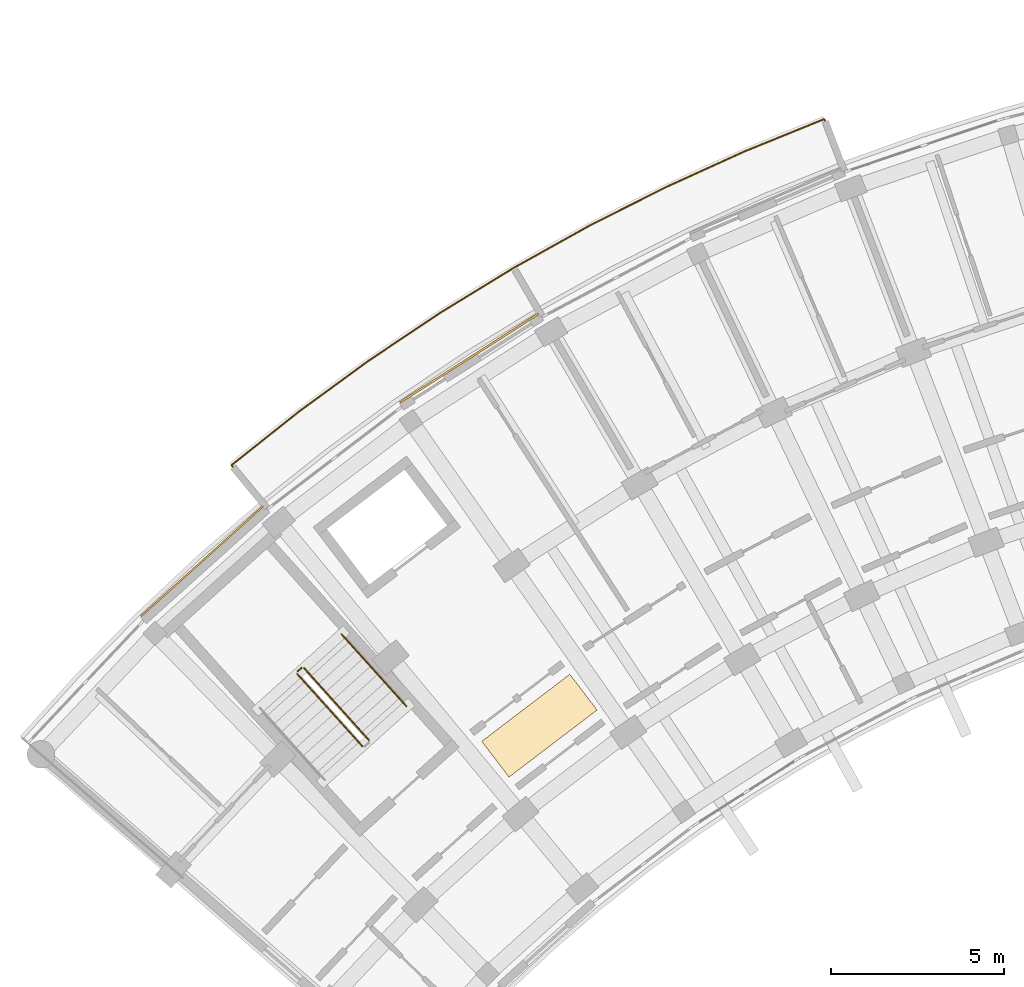
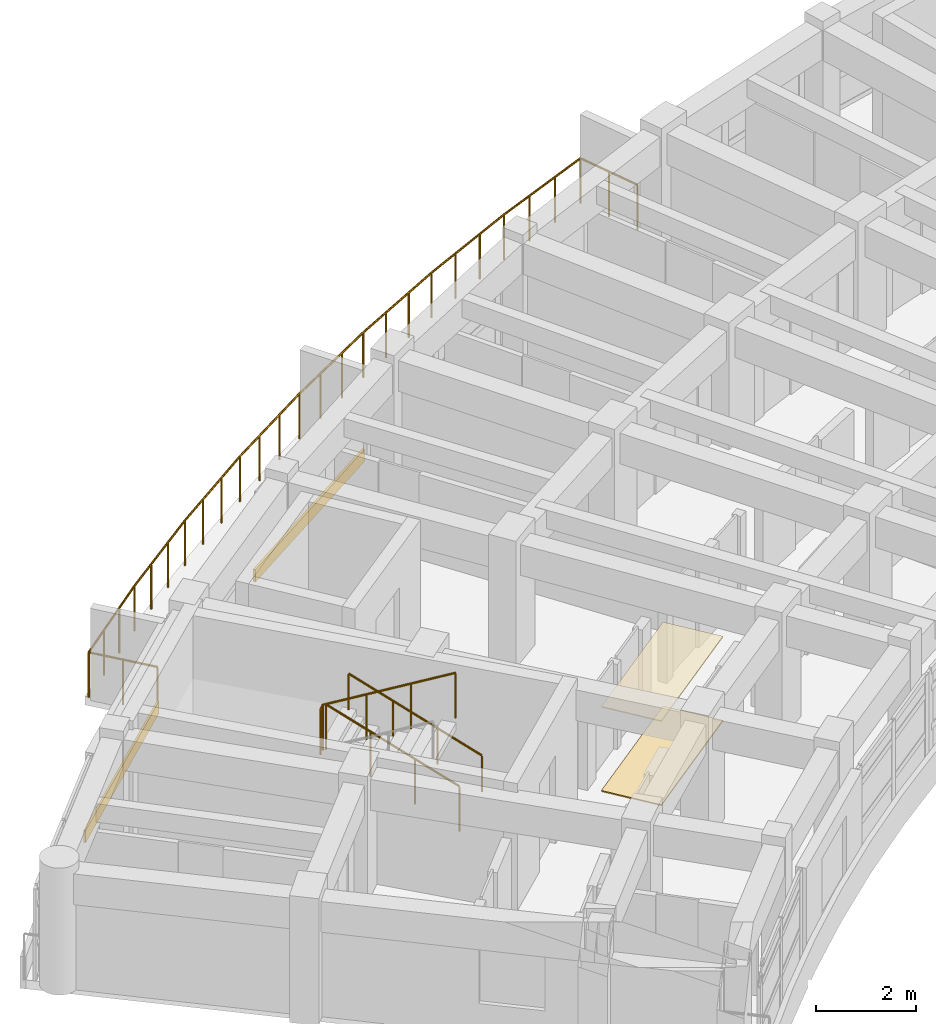
# One storey, part 61 of 70: 5 railings, 4 coverings.
"""IFC4 building model written with IfcOpenShell, lengths in metres."""

from ifc_helpers import new_model, si_unit, direction, frame, origin, origin_2d, place, context, subcontext, project, spatial, rectangle, circle, extrude, material, layer, layer_set, type_object, element, save


model = new_model("IFC4")

# Units and contexts
model_context = context("Model", 3, precision=1e-05, world=origin(), true_north=direction((0.0, 1.0)))
body_context = subcontext(model_context, "Body", "Model", "MODEL_VIEW")
ifc_project = project(units=[si_unit("LENGTHUNIT", "METRE"), si_unit("AREAUNIT", "SQUARE_METRE"), si_unit("VOLUMEUNIT", "CUBIC_METRE"), si_unit("PLANEANGLEUNIT", "RADIAN"), si_unit("MASSUNIT", "GRAM", prefix="KILO")], contexts=[model_context])

# Site, building, storey
site_placement = place(None, origin())
site = spatial("IfcSite", under=ifc_project, at=site_placement, CompositionType="ELEMENT")
building_placement = place(site_placement, origin())
building = spatial("IfcBuilding", under=site, at=building_placement, Name="Zimvara Arc Housing Community", CompositionType="ELEMENT")
storey_placement = place(building_placement, frame((0.0, 0.0, 8.10009765625)))
storey = spatial("IfcBuildingStorey", under=building, at=storey_placement, Name="L02", CompositionType="ELEMENT", Elevation=8.10009765625)

# Coverings
ifc_material_1 = material(Name="Pale-Gold Anodised Aluminium Cladding", Category="aluminium")
ifc_layer_1 = layer(ifc_material_1, 0.044921875)
ifc_layer_set_1 = layer_set([ifc_layer_1], Name="Pale-Gold Anodised Aluminium Cladding")
covering_type_1 = type_object("IfcCoveringType", Name="CLD-GOLD-02", PredefinedType="CLADDING", material=ifc_layer_set_1)
covering_1_placement = place(storey_placement, frame((5.219970703125, 88.711181640625, 0.009765625), z_axis=(0.0, 0.0, 1.0), x_axis=(0.74337718344, 0.668872456557, 0.0)))
element("IfcCovering", 1, at=covering_1_placement, inside=storey, type_object=covering_type_1, Name="cld:blkA:L02:out:b1", PredefinedType="CLADDING", context=body_context, shape_type="SweptSolid", body=[
    extrude(rectangle(XDim=4.748779296875, YDim=0.044921875, at=origin_2d()), origin(), (0.0, 0.0, 1.0), 0.300048828125),
])
ifc_material_2 = material(Name="Pale-Gold Anodised Aluminium Cladding", Category="aluminium")
ifc_layer_2 = layer(ifc_material_2, 0.054931640625)
ifc_layer_set_2 = layer_set([ifc_layer_2], Name="Pale-Gold Anodised Aluminium Cladding")
covering_type_2 = type_object("IfcCoveringType", Name="CLD-GOLD-04", PredefinedType="CLADDING", material=ifc_layer_set_2)
covering_2_placement = place(storey_placement, frame((12.944580078125, 94.585205078125, 0.009765625), z_axis=(0.0, 0.0, 1.0), x_axis=(0.842265220048, 0.53906335351, 0.0)))
element("IfcCovering", 2, at=covering_2_placement, inside=storey, type_object=covering_type_2, Name="cld:blkA:L02:out:b3", PredefinedType="CLADDING", context=body_context, shape_type="SweptSolid", body=[
    extrude(rectangle(XDim=4.748779296875, YDim=0.054931640625, at=origin_2d()), origin(), (0.0, 0.0, 1.0), 0.300048828125),
])
ifc_material_3 = material(Name="Perforated Acoustic Ceiling Board")
ifc_layer_3 = layer(ifc_material_3, 0.02490234375)
ifc_layer_set_3 = layer_set([ifc_layer_3], Name="Perforated Acoustic Ceiling Board")
covering_type_3 = type_object("IfcCoveringType", Name="COV-CEIL-03", PredefinedType="CEILING", material=ifc_layer_set_3)
covering_3_placement = place(storey_placement, frame((14.974853515625, 83.959228515625, 2.054931640625), z_axis=(0.0, 0.0, 1.0), x_axis=(-0.605988400266, 0.795473480855, 0.0)))
element("IfcCovering", 3, at=covering_3_placement, inside=storey, type_object=covering_type_3, Name="ceil:blkA:L02", PredefinedType="CEILING", context=body_context, shape_type="SweptSolid", body=[
    extrude(rectangle(XDim=1.300048828125, YDim=3.199951171875, at=origin_2d()), origin(), (0.0, 0.0, 1.0), 0.02490234375),
])
ifc_material_4 = material(Name="Polished Coastal Sand Terrazzo")
ifc_layer_4 = layer(ifc_material_4, 0.028076171875)
ifc_layer_set_4 = layer_set([ifc_layer_4], Name="Polished Coastal Sand Terrazzo")
covering_type_4 = type_object("IfcCoveringType", Name="COV-FLOR-03", PredefinedType="FLOORING", material=ifc_layer_set_4)
covering_4_placement = place(storey_placement, frame((14.974853515625, 83.959228515625, 0.0), z_axis=(0.0, 0.0, 1.0), x_axis=(-0.605988400266, 0.795473480855, 0.0)))
element("IfcCovering", 4, at=covering_4_placement, inside=storey, type_object=covering_type_4, Name="flor:blkA:L02", PredefinedType="FLOORING", context=body_context, shape_type="SweptSolid", body=[
    extrude(rectangle(XDim=1.300048828125, YDim=3.199951171875, at=origin_2d()), origin(), (0.0, 0.0, 1.0), 0.028076171875),
])

# Railings
ifc_material_5 = material(Name="Anodised Aluminium AW-6063", Category="aluminium")
railing_type_1 = type_object("IfcRailingType", Name="RLG-BAL-1120", PredefinedType="BALUSTRADE", material=ifc_material_5)
railing_1_placement = place(storey_placement, frame((7.00927734375, 90.357666015625, 0.0)))
element("IfcRailing", 5, at=railing_1_placement, inside=storey, type_object=railing_type_1, Name="rlg:blkA:L02:bal_out_guard", PredefinedType="BALUSTRADE", context=body_context, shape_type="SweptSolid", body=[
    extrude(circle(Radius=0.02392578125, at=origin_2d()), frame((0.0, 0.0, 1.09619140625), z_axis=(-0.637992539284, 0.770042544161, 0.0), x_axis=(-0.770042544161, -0.637992539284, 0.0)), (0.0, 0.0, 1.0), 1.4697265625),
    extrude(circle(Radius=0.02392578125, at=origin_2d()), frame((-0.937744140625, 1.1318359375, 1.09619140625), z_axis=(0.782948045611, 0.622087098302, 0.0), x_axis=(-0.622087098302, 0.782948045611, 0.0)), (0.0, 0.0, 1.0), 2.4921875),
    extrude(circle(Radius=0.02392578125, at=origin_2d()), frame((1.013427734375, 2.68212890625, 1.09619140625), z_axis=(0.80765852685, 0.589650493095, 0.0), x_axis=(-0.589650493095, 0.80765852685, 0.0)), (0.0, 0.0, 1.0), 2.49169921875),
    extrude(circle(Radius=0.02392578125, at=origin_2d()), frame((3.02587890625, 4.1513671875, 1.09619140625), z_axis=(0.83106930865, 0.556168863044, 0.0), x_axis=(-0.556168863044, 0.83106930865, 0.0)), (0.0, 0.0, 1.0), 2.491943359375),
    extrude(circle(Radius=0.02392578125, at=origin_2d()), frame((5.096923828125, 5.537353515625, 1.09619140625), z_axis=(0.853131649433, 0.521695685947, 0.0), x_axis=(-0.521695685947, 0.853131649433, 0.0)), (0.0, 0.0, 1.0), 2.491943359375),
    extrude(circle(Radius=0.02392578125, at=origin_2d()), frame((7.222900390625, 6.83740234375, 1.09619140625), z_axis=(0.873653060707, 0.486549411178, 0.0), x_axis=(-0.486549411178, 0.873653060707, 0.0)), (0.0, 0.0, 1.0), 2.491943359375),
    extrude(circle(Radius=0.02392578125, at=origin_2d()), frame((9.39990234375, 8.0498046875, 1.09619140625), z_axis=(0.892834384016, 0.450385127107, 0.0), x_axis=(-0.450385127107, 0.892834384016, 0.0)), (0.0, 0.0, 1.0), 2.491943359375),
    extrude(circle(Radius=0.02392578125, at=origin_2d()), frame((11.624755859375, 9.172119140625, 1.09619140625), z_axis=(0.910443630497, 0.413633165604, 0.0), x_axis=(-0.413633165604, 0.910443630497, 0.0)), (0.0, 0.0, 1.0), 2.491943359375),
    extrude(circle(Radius=0.02392578125, at=origin_2d()), frame((13.8935546875, 10.202880859375, 1.09619140625), z_axis=(0.926613832847, 0.37601436778, 0.0), x_axis=(-0.37601436778, 0.926613832847, 0.0)), (0.0, 0.0, 1.0), 2.491943359375),
    extrude(circle(Radius=0.02392578125, at=origin_2d()), frame((16.20263671875, 11.139892578125, 1.09619140625), z_axis=(0.357086323574, -0.934071387805, 0.0), x_axis=(0.934071387805, 0.357086323574, 0.0)), (0.0, 0.0, 1.0), 1.469970703125),
    extrude(circle(Radius=0.02099609375, at=origin_2d()), origin(), (0.0, 0.0, 1.0), 1.072021484375),
    extrude(circle(Radius=0.02099609375, at=origin_2d()), frame((-0.46875, 0.56591796875, 0.0)), (0.0, 0.0, 1.0), 1.072021484375),
    extrude(circle(Radius=0.02099609375, at=origin_2d()), frame((-0.937744140625, 1.1318359375, 0.0)), (0.0, 0.0, 1.0), 1.072021484375),
    extrude(circle(Radius=0.02099609375, at=origin_2d()), frame((-0.287353515625, 1.648681640625, 0.0)), (0.0, 0.0, 1.0), 1.072021484375),
    extrude(circle(Radius=0.02099609375, at=origin_2d()), frame((0.363037109375, 2.165283203125, 0.0)), (0.0, 0.0, 1.0), 1.072021484375),
    extrude(circle(Radius=0.02099609375, at=origin_2d()), frame((1.013427734375, 2.68212890625, 0.0)), (0.0, 0.0, 1.0), 1.072021484375),
    extrude(circle(Radius=0.02099609375, at=origin_2d()), frame((1.684326171875, 3.171875, 0.0)), (0.0, 0.0, 1.0), 1.072021484375),
    extrude(circle(Radius=0.02099609375, at=origin_2d()), frame((2.35498046875, 3.66162109375, 0.0)), (0.0, 0.0, 1.0), 1.072021484375),
    extrude(circle(Radius=0.02099609375, at=origin_2d()), frame((3.02587890625, 4.1513671875, 0.0)), (0.0, 0.0, 1.0), 1.072021484375),
    extrude(circle(Radius=0.02099609375, at=origin_2d()), frame((3.71630859375, 4.61328125, 0.0)), (0.0, 0.0, 1.0), 1.072021484375),
    extrude(circle(Radius=0.02099609375, at=origin_2d()), frame((4.406494140625, 5.075439453125, 0.0)), (0.0, 0.0, 1.0), 1.072021484375),
    extrude(circle(Radius=0.02099609375, at=origin_2d()), frame((5.096923828125, 5.537353515625, 0.0)), (0.0, 0.0, 1.0), 1.072021484375),
    extrude(circle(Radius=0.02099609375, at=origin_2d()), frame((5.8056640625, 5.970703125, 0.0)), (0.0, 0.0, 1.0), 1.072021484375),
    extrude(circle(Radius=0.02099609375, at=origin_2d()), frame((6.51416015625, 6.404052734375, 0.0)), (0.0, 0.0, 1.0), 1.072021484375),
    extrude(circle(Radius=0.02099609375, at=origin_2d()), frame((7.222900390625, 6.83740234375, 0.0)), (0.0, 0.0, 1.0), 1.072021484375),
    extrude(circle(Radius=0.02099609375, at=origin_2d()), frame((7.948486328125, 7.241455078125, 0.0)), (0.0, 0.0, 1.0), 1.072021484375),
    extrude(circle(Radius=0.02099609375, at=origin_2d()), frame((8.67431640625, 7.645751953125, 0.0)), (0.0, 0.0, 1.0), 1.072021484375),
    extrude(circle(Radius=0.02099609375, at=origin_2d()), frame((9.39990234375, 8.0498046875, 0.0)), (0.0, 0.0, 1.0), 1.072021484375),
    extrude(circle(Radius=0.02099609375, at=origin_2d()), frame((10.1416015625, 8.423828125, 0.0)), (0.0, 0.0, 1.0), 1.072021484375),
    extrude(circle(Radius=0.02099609375, at=origin_2d()), frame((10.883056640625, 8.798095703125, 0.0)), (0.0, 0.0, 1.0), 1.072021484375),
    extrude(circle(Radius=0.02099609375, at=origin_2d()), frame((11.624755859375, 9.172119140625, 0.0)), (0.0, 0.0, 1.0), 1.072021484375),
    extrude(circle(Radius=0.02099609375, at=origin_2d()), frame((12.381103515625, 9.515625, 0.0)), (0.0, 0.0, 1.0), 1.072021484375),
    extrude(circle(Radius=0.02099609375, at=origin_2d()), frame((13.13720703125, 9.859375, 0.0)), (0.0, 0.0, 1.0), 1.072021484375),
    extrude(circle(Radius=0.02099609375, at=origin_2d()), frame((13.8935546875, 10.202880859375, 0.0)), (0.0, 0.0, 1.0), 1.072021484375),
    extrude(circle(Radius=0.02099609375, at=origin_2d()), frame((14.663330078125, 10.51513671875, 0.0)), (0.0, 0.0, 1.0), 1.072021484375),
    extrude(circle(Radius=0.02099609375, at=origin_2d()), frame((15.432861328125, 10.82763671875, 0.0)), (0.0, 0.0, 1.0), 1.072021484375),
    extrude(circle(Radius=0.02099609375, at=origin_2d()), frame((16.20263671875, 11.139892578125, 0.0)), (0.0, 0.0, 1.0), 1.072021484375),
    extrude(circle(Radius=0.02099609375, at=origin_2d()), frame((16.465087890625, 10.453369140625, 0.0)), (0.0, 0.0, 1.0), 1.072021484375),
    extrude(circle(Radius=0.02099609375, at=origin_2d()), frame((16.7275390625, 9.766845703125, 0.0)), (0.0, 0.0, 1.0), 1.072021484375),
])
railing_2_placement = place(storey_placement, frame((10.0478515625, 83.5400390625, 0.15478515625)))
element("IfcRailing", 6, at=railing_2_placement, inside=storey, type_object=railing_type_1, Name="L02 ST-A1 stair guard 1", PredefinedType="BALUSTRADE", context=body_context, shape_type="SweptSolid", body=[
    extrude(circle(Radius=0.02392578125, at=origin_2d()), frame((0.0, 0.0, 1.09619140625), z_axis=(-0.599018063854, 0.665748660595, 0.444922555162), x_axis=(-0.743380604779, -0.668868654101, 0.0)), (0.0, 0.0, 1.0), 3.135498046875),
    extrude(circle(Radius=0.02099609375, at=origin_2d()), origin(), (0.0, 0.0, 1.0), 1.072021484375),
    extrude(circle(Radius=0.02099609375, at=origin_2d()), frame((-0.6259765625, 0.69580078125, 0.465087890625)), (0.0, 0.0, 1.0), 1.072021484375),
    extrude(circle(Radius=0.02099609375, at=origin_2d()), frame((-1.252197265625, 1.3916015625, 0.929931640625)), (0.0, 0.0, 1.0), 1.072021484375),
    extrude(circle(Radius=0.02099609375, at=origin_2d()), frame((-1.878173828125, 2.08740234375, 1.39501953125)), (0.0, 0.0, 1.0), 1.072021484375),
])
railing_3_placement = place(storey_placement, frame((8.098876953125, 85.631103515625, 1.5498046875)))
element("IfcRailing", 7, at=railing_3_placement, inside=storey, type_object=railing_type_1, Name="L02 ST-A1 stair guard 2", PredefinedType="BALUSTRADE", context=body_context, shape_type="SweptSolid", body=[
    extrude(circle(Radius=0.02392578125, at=origin_2d()), frame((0.0, 0.0, 1.09619140625), z_axis=(-0.743521848755, -0.668711642207, 0.0), x_axis=(0.668711642207, -0.743521848755, 0.0)), (0.0, 0.0, 1.0), 0.159912109375),
    extrude(circle(Radius=0.02099609375, at=origin_2d()), origin(), (0.0, 0.0, 1.0), 1.072021484375),
    extrude(circle(Radius=0.02099609375, at=origin_2d()), frame((-0.118896484375, -0.10693359375, 0.0)), (0.0, 0.0, 1.0), 1.072021484375),
])
railing_4_placement = place(storey_placement, frame((7.976318359375, 85.453369140625, 1.704833984375)))
element("IfcRailing", 8, at=railing_4_placement, inside=storey, type_object=railing_type_1, Name="L02 ST-A1 stair guard 3", PredefinedType="BALUSTRADE", context=body_context, shape_type="SweptSolid", body=[
    extrude(circle(Radius=0.02392578125, at=origin_2d()), frame((0.0, 0.0, 1.09619140625), z_axis=(0.599018063854, -0.665748660595, 0.444922555162), x_axis=(0.743380604779, 0.668868654101, 0.0)), (0.0, 0.0, 1.0), 3.135498046875),
    extrude(circle(Radius=0.02099609375, at=origin_2d()), origin(), (0.0, 0.0, 1.0), 1.072021484375),
    extrude(circle(Radius=0.02099609375, at=origin_2d()), frame((0.6259765625, -0.69580078125, 0.465087890625)), (0.0, 0.0, 1.0), 1.072021484375),
    extrude(circle(Radius=0.02099609375, at=origin_2d()), frame((1.252197265625, -1.3916015625, 0.929931640625)), (0.0, 0.0, 1.0), 1.072021484375),
    extrude(circle(Radius=0.02099609375, at=origin_2d()), frame((1.878173828125, -2.08740234375, 1.39501953125)), (0.0, 0.0, 1.0), 1.072021484375),
])
ifc_material_6 = material(Name="Anodised Aluminium AW-6063", Category="aluminium")
railing_type_2 = type_object("IfcRailingType", Name="RLG-HND-900", PredefinedType="HANDRAIL", material=ifc_material_6)
railing_5_placement = place(storey_placement, frame((11.133056640625, 84.5166015625, 0.15478515625)))
element("IfcRailing", 9, at=railing_5_placement, inside=storey, type_object=railing_type_2, Name="L02 ST-A1 stair handrail 1", PredefinedType="HANDRAIL", context=body_context, shape_type="SweptSolid", body=[
    extrude(circle(Radius=0.02392578125, at=origin_2d()), frame((0.0, 0.0, 0.8759765625), z_axis=(-0.599018063854, 0.665748660595, 0.444922555162), x_axis=(-0.743380604779, -0.668868654101, 0.0)), (0.0, 0.0, 1.0), 3.135498046875),
    extrude(circle(Radius=0.02099609375, at=origin_2d()), origin(), (0.0, 0.0, 1.0), 0.851806640625),
    extrude(circle(Radius=0.02099609375, at=origin_2d()), frame((-0.6259765625, 0.69580078125, 0.465087890625)), (0.0, 0.0, 1.0), 0.851806640625),
    extrude(circle(Radius=0.02099609375, at=origin_2d()), frame((-1.252197265625, 1.3916015625, 0.929931640625)), (0.0, 0.0, 1.0), 0.851806640625),
    extrude(circle(Radius=0.02099609375, at=origin_2d()), frame((-1.878173828125, 2.08740234375, 1.39501953125)), (0.0, 0.0, 1.0), 0.851806640625),
])

save(model, "model.ifc")
